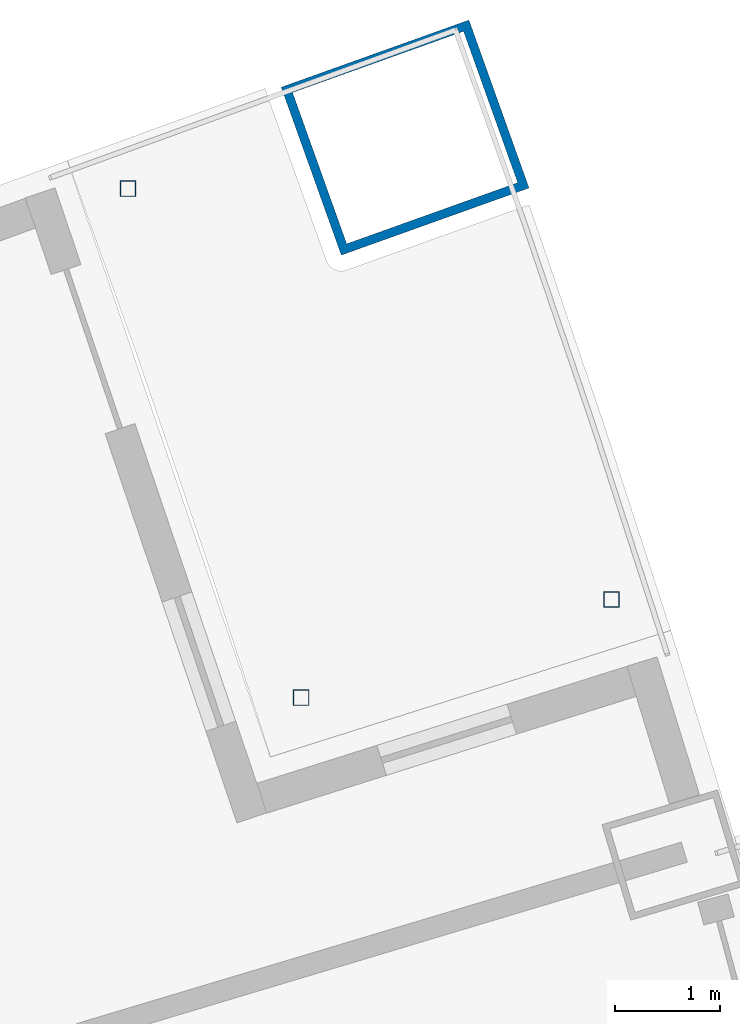
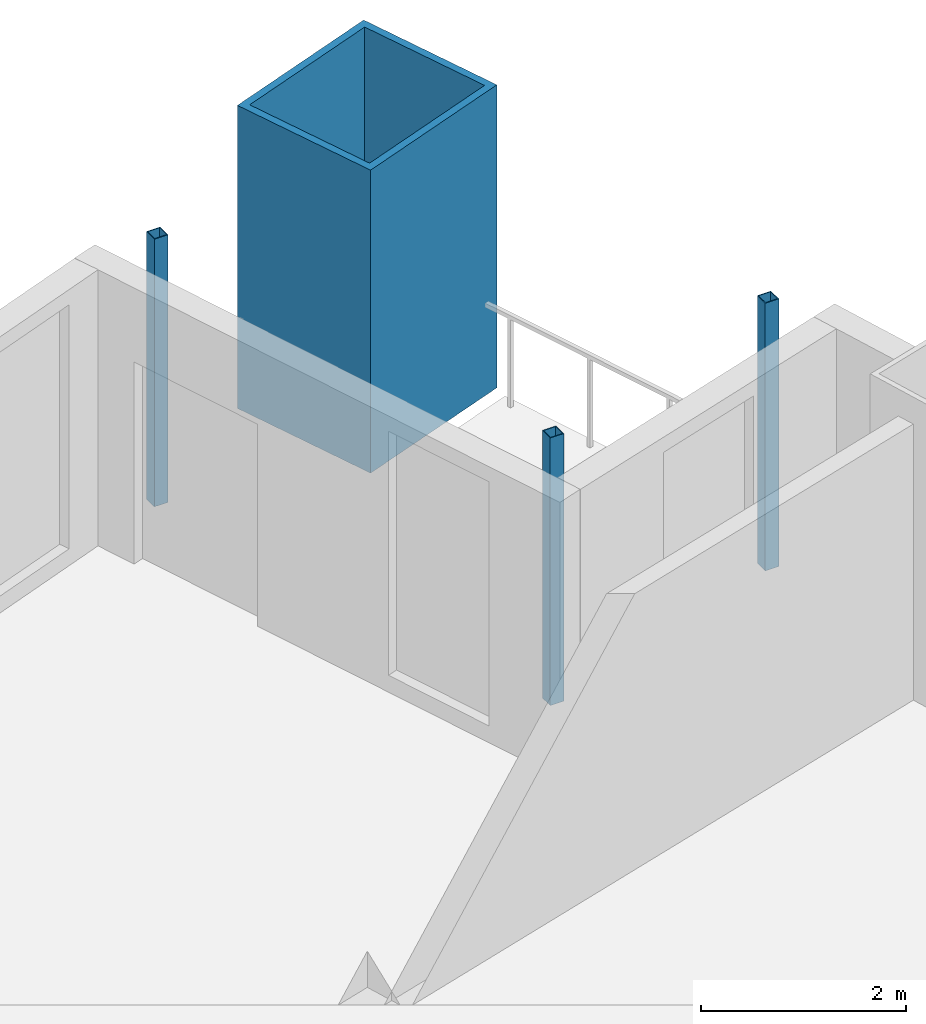
# One storey, part 11 of 25: 4 columns.
"""IFC4 building model written with IfcOpenShell, lengths in metres."""

from ifc_helpers import new_model, si_unit, direction, frame, origin, origin_2d, place, context, subcontext, project, spatial, hollow_rectangle, extrude, material, material_profile, profile_set, type_object, element, save


model = new_model("IFC4")

# Units and contexts
model_context = context("Model", 3, precision=1e-05, world=origin(), true_north=direction((0.0, 1.0)))
body_context = subcontext(model_context, "Body", "Model", "MODEL_VIEW")
ifc_project = project(units=[si_unit("LENGTHUNIT", "METRE"), si_unit("AREAUNIT", "SQUARE_METRE"), si_unit("VOLUMEUNIT", "CUBIC_METRE"), si_unit("PLANEANGLEUNIT", "RADIAN"), si_unit("MASSUNIT", "GRAM", prefix="KILO")], contexts=[model_context])

# Site, building, storey
site_placement = place(None, origin())
site = spatial("IfcSite", under=ifc_project, at=site_placement, CompositionType="ELEMENT")
building_placement = place(site_placement, origin())
building = spatial("IfcBuilding", under=site, at=building_placement, Name="Alderwake Tower", CompositionType="ELEMENT")
storey_placement = place(building_placement, frame((0.0, 0.0, 118.39990234375)))
storey = spatial("IfcBuildingStorey", under=building, at=storey_placement, Name="L29", CompositionType="ELEMENT", Elevation=118.39990234375)

# Columns
ifc_material_1 = material(Name="Steel ASTM A500 Grade C", Category="steel")
ifc_material_profile_1 = material_profile(ifc_material_1, hollow_rectangle(XDim=0.15234375, YDim=0.15234375, WallThickness=0.0087890625, at=origin_2d()), Name="HSS6X6X3/8")
ifc_profile_set_1 = profile_set([ifc_material_profile_1], Name="Steel ASTM A500 Grade C")
column_type_1 = type_object("IfcColumnType", Name="Light post HSS6X6X3/8", PredefinedType="COLUMN", material=ifc_profile_set_1)
for number, where, z_axis, x_axis, name in (
    (1, (54.064697265625, 103.86279296875, 0.0), (0.0, 0.0, 1.0), (1.0, 0.0, 0.0), "Terrace post FN1"),
    (2, (49.458251953125, 107.77685546875, 0.0), (0.0, 0.0, 1.0), (1.0, 0.0, 0.0), "Terrace post FN2"),
    (3, (51.10888671875, 102.92822265625, 0.0), (0.0, 0.0, 1.0), (1.0, 0.0, 0.0), "Terrace post FN3"),
):
    element("IfcColumn", number, at=place(storey_placement, frame(where, z_axis=z_axis, x_axis=x_axis)), inside=storey, type_object=column_type_1, Name=name, PredefinedType="COLUMN", context=body_context, shape_type="SweptSolid", body=[
        extrude(hollow_rectangle(XDim=0.15234375, YDim=0.15234375, WallThickness=0.0087890625, at=origin_2d()), origin(), (0.0, 0.0, 1.0), 3.18017578125),
    ])
ifc_material_2 = material(Name="Steel ASTM A572 Grade 50 concrete filled C70/85", Category="concrete")
ifc_material_profile_2 = material_profile(ifc_material_2, hollow_rectangle(XDim=1.699951171875, YDim=1.89990234375, WallThickness=0.0849609375, at=origin_2d()), Name="BOX 1900X1700X85")
ifc_profile_set_2 = profile_set([ifc_material_profile_2], Name="Steel ASTM A572 Grade 50 concrete filled C70/85")
column_type_2 = type_object("IfcColumnType", Name="Mega column Z2", PredefinedType="COLUMN", material=ifc_profile_set_2)
column_placement = place(storey_placement, frame((52.09912109375, 108.263916015625, 0.0), z_axis=(0.0, 0.0, 1.0), x_axis=(-0.336878350236, 0.941548180999, 0.0)))
element("IfcColumn", 4, at=column_placement, inside=storey, type_object=column_type_2, Name="Column R13-C5", PredefinedType="COLUMN", context=body_context, shape_type="SweptSolid", body=[
    extrude(hollow_rectangle(XDim=1.699951171875, YDim=1.89990234375, WallThickness=0.0849609375, at=origin_2d()), origin(), (0.0, 0.0, 1.0), 3.60009765625),
])

save(model, "model.ifc")
